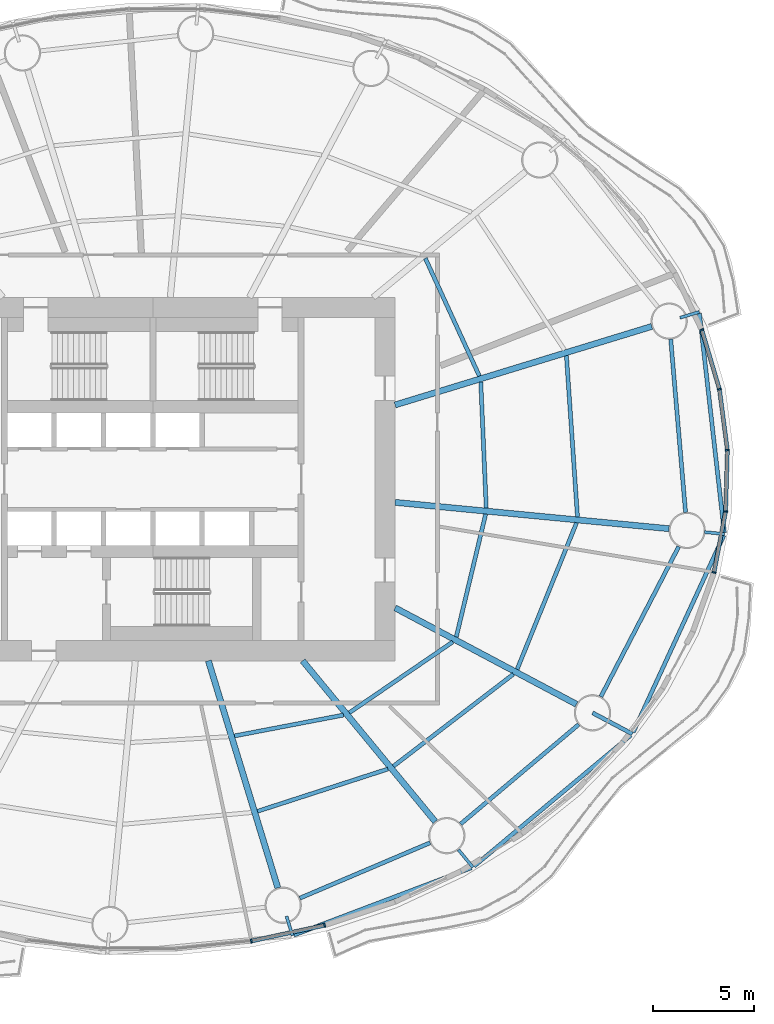
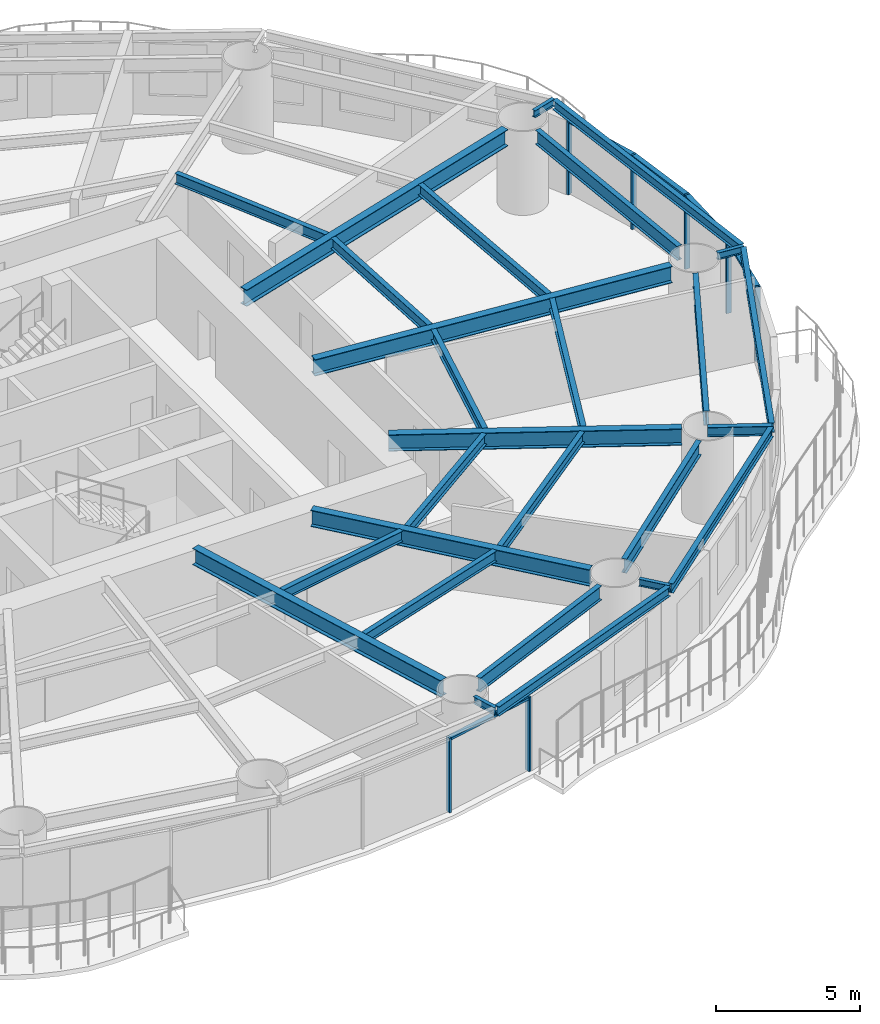
# One storey, part 4 of 16: 27 beams, 12 members, 5 elements without a shape of their own.
"""IFC4 building model written with IfcOpenShell, lengths in metres."""

from ifc_helpers import new_model, si_unit, direction, frame, origin, origin_2d, place, context, subcontext, project, spatial, rectangle, i_section, extrude, material, material_profile, profile_set, type_object, element, aggregate, save


model = new_model("IFC4")

# Units and contexts
model_context = context("Model", 3, precision=1e-05, world=origin(), true_north=direction((0.0, 1.0)))
body_context = subcontext(model_context, "Body", "Model", "MODEL_VIEW")
ifc_project = project(units=[si_unit("LENGTHUNIT", "METRE"), si_unit("AREAUNIT", "SQUARE_METRE"), si_unit("VOLUMEUNIT", "CUBIC_METRE"), si_unit("PLANEANGLEUNIT", "RADIAN"), si_unit("MASSUNIT", "GRAM", prefix="KILO")], contexts=[model_context])

# Site, building, storey
site_placement = place(None, origin())
site = spatial("IfcSite", under=ifc_project, at=site_placement, CompositionType="ELEMENT")
building_placement = place(site_placement, origin())
building = spatial("IfcBuilding", under=site, at=building_placement, Name="Vermilion Reach Broadcast Tower", CompositionType="ELEMENT")
storey_placement = place(building_placement, frame((0.0, 0.0, 47.10009765625)))
storey = spatial("IfcBuildingStorey", under=building, at=storey_placement, Name="L08", CompositionType="ELEMENT", Elevation=47.10009765625)

# Beams
ifc_material_1 = material(Name="Steel S355J2", Category="steel")
ifc_material_profile_1 = material_profile(ifc_material_1, i_section(OverallWidth=0.199951171875, OverallDepth=0.39990234375, WebThickness=0.008056640625, FlangeThickness=0.012939453125, at=origin_2d()), Name="S355J2 HN 400x200x8x13")
ifc_profile_set_1 = profile_set([ifc_material_profile_1], Name="Steel S355J2")
beam_type_1 = type_object("IfcBeamType", Name="EB1 HN 400x200x8x13", PredefinedType="BEAM", material=ifc_profile_set_1)
beam_1_placement = place(storey_placement, frame((0.987548828125, -22.584716796875, 3.349853515625), z_axis=(0.935124251482, 0.354319960332, 0.0), x_axis=(-0.354319960332, 0.935124251482, 0.0)))
element("IfcBeam", 1, at=beam_1_placement, inside=storey, type_object=beam_type_1, Name="Edge beam EB1-13", PredefinedType="BEAM", context=body_context, shape_type="SweptSolid", body=[
    extrude(i_section(OverallWidth=0.199951171875, OverallDepth=0.39990234375, WebThickness=0.008056640625, FlangeThickness=0.012939453125, at=origin_2d()), origin(), (0.0, 0.0, 1.0), 9.40185546875),
])
beam_2_placement = place(storey_placement, frame((9.911376953125, -19.17724609375, 3.349853515625), z_axis=(0.76740924852, 0.641157582257, 0.0), x_axis=(-0.641157582257, 0.76740924852, 0.0)))
element("IfcBeam", 2, at=beam_2_placement, inside=storey, type_object=beam_type_1, Name="Edge beam EB1-14", PredefinedType="BEAM", context=body_context, shape_type="SweptSolid", body=[
    extrude(i_section(OverallWidth=0.199951171875, OverallDepth=0.39990234375, WebThickness=0.008056640625, FlangeThickness=0.012939453125, at=origin_2d()), origin(), (0.0, 0.0, 1.0), 10.111572265625),
])
beam_3_placement = place(storey_placement, frame((17.7958984375, -12.533935546875, 3.349853515625), z_axis=(0.41837229911, 0.908275629607, 0.0), x_axis=(-0.908275629607, 0.41837229911, 0.0)))
element("IfcBeam", 3, at=beam_3_placement, inside=storey, type_object=beam_type_1, Name="Edge beam EB1-15", PredefinedType="BEAM", context=body_context, shape_type="SweptSolid", body=[
    extrude(i_section(OverallWidth=0.199951171875, OverallDepth=0.39990234375, WebThickness=0.008056640625, FlangeThickness=0.012939453125, at=origin_2d()), origin(), (0.0, 0.0, 1.0), 10.723876953125),
])
beam_4_placement = place(storey_placement, frame((22.30712890625, -2.645263671875, 3.349853515625), z_axis=(-0.112865541077, 0.993610270497, 0.0), x_axis=(-0.993610270497, -0.112865541077, 0.0)))
element("IfcBeam", 4, at=beam_4_placement, inside=storey, type_object=beam_type_1, Name="Edge beam EB1-16", PredefinedType="BEAM", context=body_context, shape_type="SweptSolid", body=[
    extrude(i_section(OverallWidth=0.199951171875, OverallDepth=0.39990234375, WebThickness=0.008056640625, FlangeThickness=0.012939453125, at=origin_2d()), origin(), (0.0, 0.0, 1.0), 10.91943359375),
])
ifc_material_2 = material(Name="Steel S355J2", Category="steel")
ifc_material_profile_2 = material_profile(ifc_material_2, i_section(OverallWidth=0.300048828125, OverallDepth=0.699951171875, WebThickness=0.012939453125, FlangeThickness=0.02392578125, at=origin_2d()), Name="S355J2 HN 700x300x13x24")
ifc_profile_set_2 = profile_set([ifc_material_profile_2], Name="Steel S355J2")
beam_type_2 = type_object("IfcBeamType", Name="G1 HN 700x300x13x24", PredefinedType="BEAM", material=ifc_profile_set_2)
beam_5_placement = place(storey_placement, frame((6.0, 3.671142578125, 3.199951171875), z_axis=(0.956255735186, 0.292531996409, 0.0), x_axis=(-0.292531996409, 0.956255735186, 0.0)))
element("IfcBeam", 5, at=beam_5_placement, inside=storey, type_object=beam_type_2, Name="Girder G1-01", PredefinedType="BEAM", context=body_context, shape_type="SweptSolid", body=[
    extrude(i_section(OverallWidth=0.300048828125, OverallDepth=0.699951171875, WebThickness=0.012939453125, FlangeThickness=0.02392578125, at=origin_2d()), origin(), (0.0, 0.0, 1.0), 13.29638671875),
])
beam_6_placement = place(storey_placement, frame((-3.246826171875, -9.0, 3.199951171875), z_axis=(0.292542302886, -0.95625258223, 0.0), x_axis=(0.95625258223, 0.292542302886, 0.0)))
element("IfcBeam", 6, at=beam_6_placement, inside=storey, type_object=beam_type_2, Name="Girder G1-13", PredefinedType="BEAM", context=body_context, shape_type="SweptSolid", body=[
    extrude(i_section(OverallWidth=0.300048828125, OverallDepth=0.699951171875, WebThickness=0.012939453125, FlangeThickness=0.02392578125, at=origin_2d()), origin(), (0.0, 0.0, 1.0), 11.76220703125),
])
beam_7_placement = place(storey_placement, frame((1.421630859375, -9.0, 3.199951171875), z_axis=(0.636215165107, -0.77151167437, 0.0), x_axis=(0.77151167437, 0.636215165107, 0.0)))
element("IfcBeam", 7, at=beam_7_placement, inside=storey, type_object=beam_type_2, Name="Girder G1-14", PredefinedType="BEAM", context=body_context, shape_type="SweptSolid", body=[
    extrude(i_section(OverallWidth=0.300048828125, OverallDepth=0.699951171875, WebThickness=0.012939453125, FlangeThickness=0.02392578125, at=origin_2d()), origin(), (0.0, 0.0, 1.0), 10.3251953125),
])
beam_8_placement = place(storey_placement, frame((6.0, -6.3779296875, 3.199951171875), z_axis=(0.883032139419, -0.469312519279, 0.0), x_axis=(0.469312519279, 0.883032139419, 0.0)))
element("IfcBeam", 8, at=beam_8_placement, inside=storey, type_object=beam_type_2, Name="Girder G1-15", PredefinedType="BEAM", context=body_context, shape_type="SweptSolid", body=[
    extrude(i_section(OverallWidth=0.300048828125, OverallDepth=0.699951171875, WebThickness=0.012939453125, FlangeThickness=0.02392578125, at=origin_2d()), origin(), (0.0, 0.0, 1.0), 10.17529296875),
])
beam_9_placement = place(storey_placement, frame((6.0, -1.1533203125, 3.199951171875), z_axis=(0.995412178872, -0.095679643363, 0.0), x_axis=(0.095679643363, 0.995412178872, 0.0)))
element("IfcBeam", 9, at=beam_9_placement, inside=storey, type_object=beam_type_2, Name="Girder G1-16", PredefinedType="BEAM", context=body_context, shape_type="SweptSolid", body=[
    extrude(i_section(OverallWidth=0.300048828125, OverallDepth=0.699951171875, WebThickness=0.012939453125, FlangeThickness=0.02392578125, at=origin_2d()), origin(), (0.0, 0.0, 1.0), 13.630859375),
])
ifc_material_3 = material(Name="Steel S355J2", Category="steel")
ifc_material_profile_3 = material_profile(ifc_material_3, i_section(OverallWidth=0.199951171875, OverallDepth=0.39990234375, WebThickness=0.008056640625, FlangeThickness=0.012939453125, at=origin_2d()), Name="S355J2 HN 400x200x8x13")
ifc_profile_set_3 = profile_set([ifc_material_profile_3], Name="Steel S355J2")
beam_type_3 = type_object("IfcBeamType", Name="GC1 HN 400x200x8x13", PredefinedType="BEAM", material=ifc_profile_set_3)
beam_10_placement = place(storey_placement, frame((15.77978515625, -11.57568359375, 3.349853515625), z_axis=(0.883056325824, -0.469267008665, 0.0), x_axis=(0.469267008665, 0.883056325824, 0.0)))
element("IfcBeam", 10, at=beam_10_placement, inside=storey, type_object=beam_type_3, Name="Cantilever girder GC1-15", PredefinedType="BEAM", context=body_context, shape_type="SweptSolid", body=[
    extrude(i_section(OverallWidth=0.199951171875, OverallDepth=0.39990234375, WebThickness=0.008056640625, FlangeThickness=0.012939453125, at=origin_2d()), origin(), (0.0, 0.0, 1.0), 2.235595703125),
])
ifc_material_4 = material(Name="Steel S355J2", Category="steel")
ifc_material_profile_4 = material_profile(ifc_material_4, i_section(OverallWidth=0.14990234375, OverallDepth=0.300048828125, WebThickness=0.006591796875, FlangeThickness=0.009033203125, at=origin_2d()), Name="S355J2 HN 300x150x6.5x9")
ifc_profile_set_4 = profile_set([ifc_material_profile_4], Name="Steel S355J2")
beam_type_4 = type_object("IfcBeamType", Name="GS1 HN 300x150x6.5x9", PredefinedType="BEAM", material=ifc_profile_set_4)
for number, where, z_axis, x_axis, name in (
    (11, (20.10986328125, 7.987548828125, 3.39990234375), (0.95627383467, 0.292472824594, 0.0), (-0.292472824594, 0.95627383467, 0.0), "Cantilever stub GS1-01"),
    (12, (0.624755859375, -21.655029296875, 3.39990234375), (0.292472824594, -0.95627383467, 0.0), (0.95627383467, 0.292472824594, 0.0), "Cantilever stub GS1-13"),
):
    element("IfcBeam", number, at=place(storey_placement, frame(where, z_axis=z_axis, x_axis=x_axis)), inside=storey, type_object=beam_type_4, Name=name, PredefinedType="BEAM", context=body_context, shape_type="SweptSolid", body=[
        extrude(i_section(OverallWidth=0.14990234375, OverallDepth=0.300048828125, WebThickness=0.006591796875, FlangeThickness=0.009033203125, at=origin_2d()), origin(), (0.0, 0.0, 1.0), 1.0),
    ])
beam_11_placement = place(storey_placement, frame((9.1357421875, -18.354736328125, 3.39990234375), z_axis=(0.636260656267, -0.771474158534, 0.0), x_axis=(0.771474158534, 0.636260656267, 0.0)))
element("IfcBeam", 13, at=beam_11_placement, inside=storey, type_object=beam_type_4, Name="Cantilever stub GS1-14", PredefinedType="BEAM", context=body_context, shape_type="SweptSolid", body=[
    extrude(i_section(OverallWidth=0.14990234375, OverallDepth=0.300048828125, WebThickness=0.006591796875, FlangeThickness=0.009033203125, at=origin_2d()), origin(), (0.0, 0.0, 1.0), 1.12841796875),
])
beam_12_placement = place(storey_placement, frame((21.3203125, -2.625732421875, 3.39990234375), z_axis=(0.995409476419, -0.095707754417, 0.0), x_axis=(0.095707754417, 0.995409476419, 0.0)))
element("IfcBeam", 14, at=beam_12_placement, inside=storey, type_object=beam_type_4, Name="Cantilever stub GS1-16", PredefinedType="BEAM", context=body_context, shape_type="SweptSolid", body=[
    extrude(i_section(OverallWidth=0.14990234375, OverallDepth=0.300048828125, WebThickness=0.006591796875, FlangeThickness=0.009033203125, at=origin_2d()), origin(), (0.0, 0.0, 1.0), 1.0),
])
ifc_material_5 = material(Name="Steel S355J2", Category="steel")
ifc_material_profile_5 = material_profile(ifc_material_5, i_section(OverallWidth=0.199951171875, OverallDepth=0.60009765625, WebThickness=0.010986328125, FlangeThickness=0.01708984375, at=origin_2d()), Name="S355J2 HN 600x200x11x17")
ifc_profile_set_5 = profile_set([ifc_material_profile_5], Name="Steel S355J2")
beam_type_5 = type_object("IfcBeamType", Name="RB1 HN 600x200x11x17", PredefinedType="BEAM", material=ifc_profile_set_5)
beam_13_placement = place(storey_placement, frame((1.28564453125, -20.755859375, 3.25), z_axis=(0.920220846584, 0.391399531825, 0.0), x_axis=(-0.391399531825, 0.920220846584, 0.0)))
element("IfcBeam", 15, at=beam_13_placement, inside=storey, type_object=beam_type_5, Name="Ring beam RB1-13", PredefinedType="BEAM", context=body_context, shape_type="SweptSolid", body=[
    extrude(i_section(OverallWidth=0.199951171875, OverallDepth=0.60009765625, WebThickness=0.010986328125, FlangeThickness=0.01708984375, at=origin_2d()), origin(), (0.0, 0.0, 1.0), 7.008544921875),
])
beam_14_placement = place(storey_placement, frame((9.251220703125, -17.080322265625, 3.25), z_axis=(0.764512441084, 0.6446089725, 0.0), x_axis=(-0.6446089725, 0.764512441084, 0.0)))
element("IfcBeam", 16, at=beam_14_placement, inside=storey, type_object=beam_type_5, Name="Ring beam RB1-14", PredefinedType="BEAM", context=body_context, shape_type="SweptSolid", body=[
    extrude(i_section(OverallWidth=0.199951171875, OverallDepth=0.60009765625, WebThickness=0.010986328125, FlangeThickness=0.01708984375, at=origin_2d()), origin(), (0.0, 0.0, 1.0), 7.6396484375),
])
beam_15_placement = place(storey_placement, frame((16.194091796875, -10.776611328125, 3.25), z_axis=(0.460411617218, 0.887705549566, 0.0), x_axis=(-0.887705549566, 0.460411617218, 0.0)))
element("IfcBeam", 17, at=beam_15_placement, inside=storey, type_object=beam_type_5, Name="Ring beam RB1-15", PredefinedType="BEAM", context=body_context, shape_type="SweptSolid", body=[
    extrude(i_section(OverallWidth=0.199951171875, OverallDepth=0.60009765625, WebThickness=0.010986328125, FlangeThickness=0.01708984375, at=origin_2d()), origin(), (0.0, 0.0, 1.0), 8.37451171875),
])
beam_16_placement = place(storey_placement, frame((20.38720703125, -1.646728515625, 3.25), z_axis=(-0.085395508608, 0.996347131832, 0.0), x_axis=(-0.996347131832, -0.085395508608, 0.0)))
element("IfcBeam", 18, at=beam_16_placement, inside=storey, type_object=beam_type_5, Name="Ring beam RB1-16", PredefinedType="BEAM", context=body_context, shape_type="SweptSolid", body=[
    extrude(i_section(OverallWidth=0.199951171875, OverallDepth=0.60009765625, WebThickness=0.010986328125, FlangeThickness=0.01708984375, at=origin_2d()), origin(), (0.0, 0.0, 1.0), 8.60546875),
])
ifc_material_6 = material(Name="Steel S355J2", Category="steel")
ifc_material_profile_6 = material_profile(ifc_material_6, i_section(OverallWidth=0.199951171875, OverallDepth=0.449951171875, WebThickness=0.009033203125, FlangeThickness=0.013916015625, at=origin_2d()), Name="S355J2 HN 450x200x9x14")
ifc_profile_set_6 = profile_set([ifc_material_profile_6], Name="Steel S355J2")
beam_type_6 = type_object("IfcBeamType", Name="SB1 HN 450x200x9x14", PredefinedType="BEAM", material=ifc_profile_set_6)
beam_17_placement = place(storey_placement, frame((10.175048828125, 5.105224609375, 3.324951171875), z_axis=(-0.417211452529, 0.908809443106, 0.0), x_axis=(-0.908809443106, -0.417211452529, 0.0)))
element("IfcBeam", 19, at=beam_17_placement, inside=storey, type_object=beam_type_6, Name="Secondary beam SB1-01-1", PredefinedType="BEAM", context=body_context, shape_type="SweptSolid", body=[
    extrude(i_section(OverallWidth=0.199951171875, OverallDepth=0.449951171875, WebThickness=0.009033203125, FlangeThickness=0.013916015625, at=origin_2d()), origin(), (0.0, 0.0, 1.0), 6.41650390625),
])
beam_18_placement = place(storey_placement, frame((-1.95166015625, -12.720703125, 3.324951171875), z_axis=(0.982151348822, 0.188092339045, 0.0), x_axis=(-0.188092339045, 0.982151348822, 0.0)))
element("IfcBeam", 20, at=beam_18_placement, inside=storey, type_object=beam_type_6, Name="Secondary beam SB1-13-1", PredefinedType="BEAM", context=body_context, shape_type="SweptSolid", body=[
    extrude(i_section(OverallWidth=0.199951171875, OverallDepth=0.449951171875, WebThickness=0.009033203125, FlangeThickness=0.013916015625, at=origin_2d()), origin(), (0.0, 0.0, 1.0), 5.4931640625),
])
beam_19_placement = place(storey_placement, frame((-0.81005859375, -16.4521484375, 3.324951171875), z_axis=(0.951332300844, 0.308166924523, 0.0), x_axis=(-0.308166924523, 0.951332300844, 0.0)))
element("IfcBeam", 21, at=beam_19_placement, inside=storey, type_object=beam_type_6, Name="Secondary beam SB1-13-2", PredefinedType="BEAM", context=body_context, shape_type="SweptSolid", body=[
    extrude(i_section(OverallWidth=0.199951171875, OverallDepth=0.449951171875, WebThickness=0.009033203125, FlangeThickness=0.013916015625, at=origin_2d()), origin(), (0.0, 0.0, 1.0), 6.787841796875),
])
beam_20_placement = place(storey_placement, frame((3.735595703125, -11.5703125, 3.324951171875), z_axis=(0.825140253447, 0.564927926502, 0.0), x_axis=(-0.564927926502, 0.825140253447, 0.0)))
element("IfcBeam", 22, at=beam_20_placement, inside=storey, type_object=beam_type_6, Name="Secondary beam SB1-14-1", PredefinedType="BEAM", context=body_context, shape_type="SweptSolid", body=[
    extrude(i_section(OverallWidth=0.199951171875, OverallDepth=0.449951171875, WebThickness=0.009033203125, FlangeThickness=0.013916015625, at=origin_2d()), origin(), (0.0, 0.0, 1.0), 6.20458984375),
])
beam_21_placement = place(storey_placement, frame((5.920166015625, -14.21923828125, 3.324951171875), z_axis=(0.793349617473, 0.60876628065, 0.0), x_axis=(-0.60876628065, 0.793349617473, 0.0)))
element("IfcBeam", 23, at=beam_21_placement, inside=storey, type_object=beam_type_6, Name="Secondary beam SB1-14-2", PredefinedType="BEAM", context=body_context, shape_type="SweptSolid", body=[
    extrude(i_section(OverallWidth=0.199951171875, OverallDepth=0.449951171875, WebThickness=0.009033203125, FlangeThickness=0.013916015625, at=origin_2d()), origin(), (0.0, 0.0, 1.0), 7.486328125),
])
beam_22_placement = place(storey_placement, frame((9.031005859375, -7.81884765625, 3.324951171875), z_axis=(0.232844467589, 0.972513986487, 0.0), x_axis=(-0.972513986487, 0.232844467589, 0.0)))
element("IfcBeam", 24, at=beam_22_placement, inside=storey, type_object=beam_type_6, Name="Secondary beam SB1-15-1", PredefinedType="BEAM", context=body_context, shape_type="SweptSolid", body=[
    extrude(i_section(OverallWidth=0.199951171875, OverallDepth=0.449951171875, WebThickness=0.009033203125, FlangeThickness=0.013916015625, at=origin_2d()), origin(), (0.0, 0.0, 1.0), 6.25537109375),
])
beam_23_placement = place(storey_placement, frame((12.046630859375, -9.421630859375, 3.324951171875), z_axis=(0.375640669938, 0.926765389453, 0.0), x_axis=(-0.926765389453, 0.375640669938, 0.0)))
element("IfcBeam", 25, at=beam_23_placement, inside=storey, type_object=beam_type_6, Name="Secondary beam SB1-15-2", PredefinedType="BEAM", context=body_context, shape_type="SweptSolid", body=[
    extrude(i_section(OverallWidth=0.199951171875, OverallDepth=0.449951171875, WebThickness=0.009033203125, FlangeThickness=0.013916015625, at=origin_2d()), origin(), (0.0, 0.0, 1.0), 7.8271484375),
])
beam_24_placement = place(storey_placement, frame((10.51611328125, -1.436767578125, 3.324951171875), z_axis=(-0.043361007512, 0.999059469215, 0.0), x_axis=(-0.999059469215, -0.043361007512, 0.0)))
element("IfcBeam", 26, at=beam_24_placement, inside=storey, type_object=beam_type_6, Name="Secondary beam SB1-16-1", PredefinedType="BEAM", context=body_context, shape_type="SweptSolid", body=[
    extrude(i_section(OverallWidth=0.199951171875, OverallDepth=0.449951171875, WebThickness=0.009033203125, FlangeThickness=0.013916015625, at=origin_2d()), origin(), (0.0, 0.0, 1.0), 6.25537109375),
])
beam_25_placement = place(storey_placement, frame((15.03515625, -1.87109375, 3.324951171875), z_axis=(-0.068507801475, 0.997650580683, 0.0), x_axis=(-0.997650580683, -0.068507801475, 0.0)))
element("IfcBeam", 27, at=beam_25_placement, inside=storey, type_object=beam_type_6, Name="Secondary beam SB1-16-2", PredefinedType="BEAM", context=body_context, shape_type="SweptSolid", body=[
    extrude(i_section(OverallWidth=0.199951171875, OverallDepth=0.449951171875, WebThickness=0.009033203125, FlangeThickness=0.013916015625, at=origin_2d()), origin(), (0.0, 0.0, 1.0), 8.00048828125),
])

# Curtain wall, member
ifc_material_7 = material(Name="Low-e laminated clear glass in aluminium frame", Category="aluminium")
curtain_wall_type = type_object("IfcCurtainWallType", Name="Slot curtain wall", PredefinedType="NOTDEFINED", material=ifc_material_7)
placement = place(storey_placement, origin())
curtain_wall_1 = element("IfcCurtainWall", 28, at=placement, inside=storey, type_object=curtain_wall_type, Name="Slot curtain wall L08 46", PredefinedType="NOTDEFINED")
ifc_material_8 = material(Name="Anodised aluminium", Category="aluminium")
ifc_material_profile_7 = material_profile(ifc_material_8, rectangle(XDim=0.199951171875, YDim=0.080078125, at=origin_2d()), Name="Slot mullion 80 x 200")
ifc_profile_set_7 = profile_set([ifc_material_profile_7], Name="Anodised aluminium")
member_type_1 = type_object("IfcMemberType", Name="Slot mullion 80 x 200", PredefinedType="MULLION", material=ifc_profile_set_7)
member_1_placement = place(storey_placement, frame((21.7958984375, -4.623046875, 0.0), z_axis=(0.0, 0.0, 1.0), x_axis=(-0.965046555753, 0.262078509668, 0.0)))
member_1 = element("IfcMember", 29, at=member_1_placement, type_object=member_type_1, Name="Slot mullion L08 46", PredefinedType="MULLION", context=body_context, shape_type="SweptSolid", body=[
    extrude(rectangle(XDim=0.199951171875, YDim=0.080078125, at=origin_2d()), origin(), (0.0, 0.0, 1.0), 3.14990234375),
])

curtain_wall_2 = element("IfcCurtainWall", 30, at=placement, inside=storey, type_object=curtain_wall_type, Name="Slot curtain wall L08 47", PredefinedType="NOTDEFINED")
member_2_placement = place(storey_placement, frame((22.368896484375, -1.60888671875, 0.0), z_axis=(0.0, 0.0, 1.0), x_axis=(-0.994096414495, 0.108500316535, 0.0)))
member_2 = element("IfcMember", 31, at=member_2_placement, type_object=member_type_1, Name="Slot mullion L08 47", PredefinedType="MULLION", context=body_context, shape_type="SweptSolid", body=[
    extrude(rectangle(XDim=0.199951171875, YDim=0.080078125, at=origin_2d()), origin(), (0.0, 0.0, 1.0), 3.14990234375),
])

curtain_wall_3 = element("IfcCurtainWall", 32, at=placement, inside=storey, type_object=curtain_wall_type, Name="Slot curtain wall L08 00", PredefinedType="NOTDEFINED")
member_3_placement = place(storey_placement, frame((22.458740234375, 1.431640625, 0.0), z_axis=(0.0, 0.0, 1.0), x_axis=(-0.998736958655, -0.050244277443, 0.0)))
member_3 = element("IfcMember", 33, at=member_3_placement, type_object=member_type_1, Name="Slot mullion L08 00", PredefinedType="MULLION", context=body_context, shape_type="SweptSolid", body=[
    extrude(rectangle(XDim=0.199951171875, YDim=0.080078125, at=origin_2d()), origin(), (0.0, 0.0, 1.0), 3.14990234375),
])

# Curtain wall, members
curtain_wall_4 = element("IfcCurtainWall", 34, at=placement, inside=storey, type_object=curtain_wall_type, Name="Slot curtain wall L08 01", PredefinedType="NOTDEFINED")
member_4_placement = place(storey_placement, frame((22.064208984375, 4.447998046875, 0.0), z_axis=(0.0, 0.0, 1.0), x_axis=(-0.97818794669, -0.207721787373, 0.0)))
member_4 = element("IfcMember", 35, at=member_4_placement, type_object=member_type_1, Name="Slot mullion L08 01", PredefinedType="MULLION", context=body_context, shape_type="SweptSolid", body=[
    extrude(rectangle(XDim=0.199951171875, YDim=0.080078125, at=origin_2d()), origin(), (0.0, 0.0, 1.0), 3.14990234375),
])
member_5_placement = place(storey_placement, frame((21.191650390625, 7.389404296875, 0.0), z_axis=(0.0, 0.0, 1.0), x_axis=(-0.933871419134, -0.357608965944, 0.0)))
member_5 = element("IfcMember", 36, at=member_5_placement, type_object=member_type_1, Name="Slot mullion L08 02", PredefinedType="MULLION", context=body_context, shape_type="SweptSolid", body=[
    extrude(rectangle(XDim=0.199951171875, YDim=0.080078125, at=origin_2d()), origin(), (0.0, 0.0, 1.0), 3.14990234375),
])

curtain_wall_5 = element("IfcCurtainWall", 37, at=placement, inside=storey, type_object=curtain_wall_type, Name="Slot curtain wall L08 37", PredefinedType="NOTDEFINED")
member_6_placement = place(storey_placement, frame((-1.117919921875, -22.879150390625, 0.0), z_axis=(0.0, 0.0, 1.0), x_axis=(-0.157226221201, 0.987562613391, 0.0)))
member_6 = element("IfcMember", 38, at=member_6_placement, type_object=member_type_1, Name="Slot mullion L08 37", PredefinedType="MULLION", context=body_context, shape_type="SweptSolid", body=[
    extrude(rectangle(XDim=0.199951171875, YDim=0.080078125, at=origin_2d()), origin(), (0.0, 0.0, 1.0), 3.14990234375),
])
member_7_placement = place(storey_placement, frame((2.509521484375, -22.09912109375, 0.0), z_axis=(0.0, 0.0, 1.0), x_axis=(-0.263553180874, 0.964644867737, 0.0)))
member_7 = element("IfcMember", 39, at=member_7_placement, type_object=member_type_1, Name="Slot mullion L08 38", PredefinedType="MULLION", context=body_context, shape_type="SweptSolid", body=[
    extrude(rectangle(XDim=0.199951171875, YDim=0.080078125, at=origin_2d()), origin(), (0.0, 0.0, 1.0), 3.14990234375),
])

# Member
ifc_material_9 = material(Name="Anodised aluminium", Category="aluminium")
ifc_material_profile_8 = material_profile(ifc_material_9, rectangle(XDim=0.199951171875, YDim=0.10009765625, at=origin_2d()), Name="Slot transom 200 x 100")
ifc_profile_set_8 = profile_set([ifc_material_profile_8], Name="Anodised aluminium")
member_type_2 = type_object("IfcMemberType", Name="Slot transom 200 x 100", PredefinedType="USERDEFINED", material=ifc_profile_set_8)
member_8_placement = place(storey_placement, frame((21.803466796875, -4.583740234375, 3.099853515625), z_axis=(0.186774198324, 0.982402869927, 0.0), x_axis=(-0.982402869927, 0.186774198324, 0.0)))
member_8 = element("IfcMember", 40, at=member_8_placement, type_object=member_type_2, Name="Slot transom L08 46.1", ObjectType="TRANSOM", PredefinedType="USERDEFINED", context=body_context, shape_type="SweptSolid", body=[
    extrude(rectangle(XDim=0.199951171875, YDim=0.10009765625, at=origin_2d()), origin(), (0.0, 0.0, 1.0), 2.988037109375),
])

aggregate(curtain_wall_1, [member_1, member_8])

member_9_placement = place(storey_placement, frame((22.3701171875, -1.56884765625, 3.099853515625), z_axis=(0.02951048001, 0.999564470942, 0.0), x_axis=(-0.999564470942, 0.02951048001, 0.0)))
member_9 = element("IfcMember", 41, at=member_9_placement, type_object=member_type_2, Name="Slot transom L08 47.1", ObjectType="TRANSOM", PredefinedType="USERDEFINED", context=body_context, shape_type="SweptSolid", body=[
    extrude(rectangle(XDim=0.199951171875, YDim=0.10009765625, at=origin_2d()), origin(), (0.0, 0.0, 1.0), 2.961669921875),
])

aggregate(curtain_wall_2, [member_2, member_9])

member_10_placement = place(storey_placement, frame((22.45361328125, 1.471435546875, 3.099853515625), z_axis=(-0.129744427337, 0.991547469149, 0.0), x_axis=(-0.991547469149, -0.129744427337, 0.0)))
member_10 = element("IfcMember", 42, at=member_10_placement, type_object=member_type_2, Name="Slot transom L08 00.1", ObjectType="TRANSOM", PredefinedType="USERDEFINED", context=body_context, shape_type="SweptSolid", body=[
    extrude(rectangle(XDim=0.199951171875, YDim=0.10009765625, at=origin_2d()), origin(), (0.0, 0.0, 1.0), 2.9619140625),
])

aggregate(curtain_wall_3, [member_3, member_10])

member_11_placement = place(storey_placement, frame((22.052734375, 4.486328125, 3.099853515625), z_axis=(-0.28440822294, 0.958703271468, 0.0), x_axis=(-0.958703271468, -0.28440822294, 0.0)))
member_11 = element("IfcMember", 43, at=member_11_placement, type_object=member_type_2, Name="Slot transom L08 01.1", ObjectType="TRANSOM", PredefinedType="USERDEFINED", context=body_context, shape_type="SweptSolid", body=[
    extrude(rectangle(XDim=0.199951171875, YDim=0.10009765625, at=origin_2d()), origin(), (0.0, 0.0, 1.0), 2.988037109375),
])

aggregate(curtain_wall_4, [member_4, member_5, member_11])

member_12_placement = place(storey_placement, frame((-1.078857421875, -22.870849609375, 3.099853515625), z_axis=(0.977637756698, 0.210296021545, 0.0), x_axis=(-0.210296021545, 0.977637756698, 0.0)))
member_12 = element("IfcMember", 44, at=member_12_placement, type_object=member_type_2, Name="Slot transom L08 37.1", ObjectType="TRANSOM", PredefinedType="USERDEFINED", context=body_context, shape_type="SweptSolid", body=[
    extrude(rectangle(XDim=0.199951171875, YDim=0.10009765625, at=origin_2d()), origin(), (0.0, 0.0, 1.0), 3.63037109375),
])

aggregate(curtain_wall_5, [member_6, member_7, member_12])

save(model, "model.ifc")
